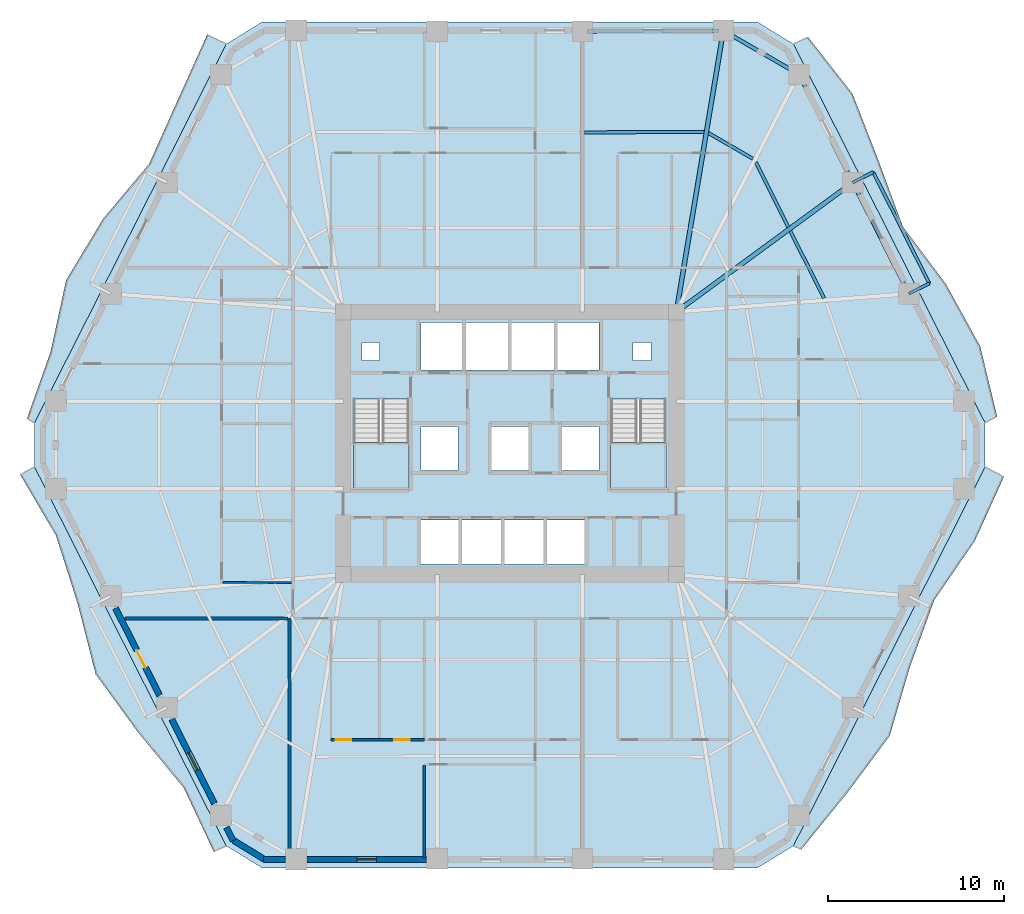
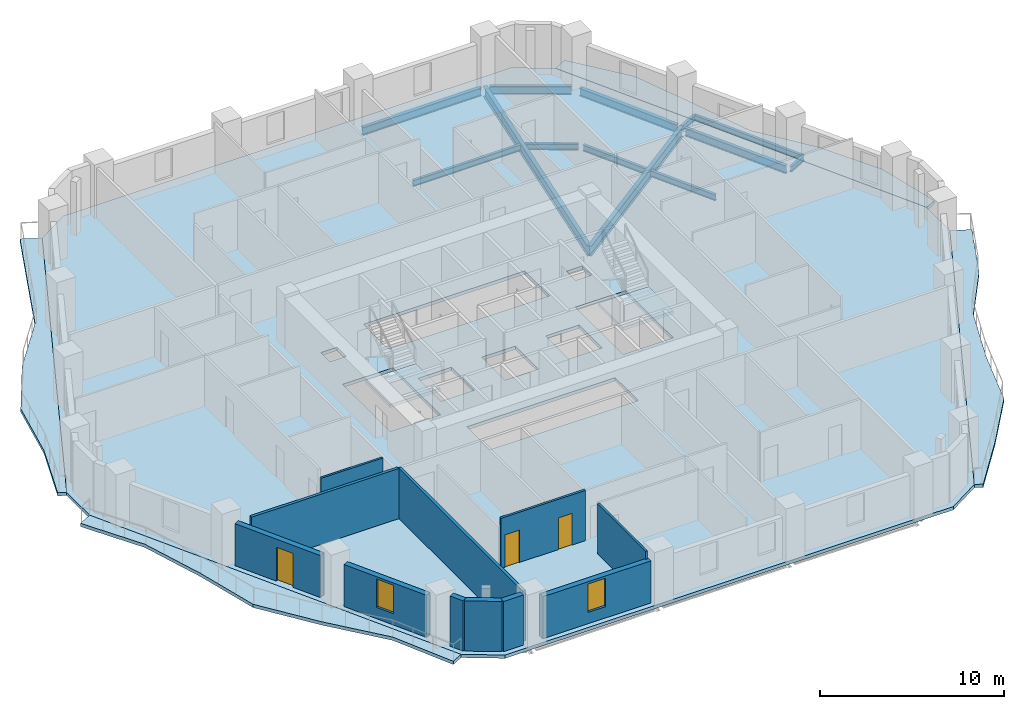
# One storey, part 3 of 11: 13 beams, 11 walls, 7 slabs, 3 doors, 2 windows, 5 openings, 2 elements without a shape of their own.
"""IFC4 building model written with IfcOpenShell, lengths in metres."""

from ifc_helpers import new_model, si_unit, direction, frame, frame_2d, origin, origin_2d, place, context, subcontext, project, spatial, polyline, rectangle, i_section, outline, extrude, material, layer, layer_set, material_profile, profile_set, type_object, element, fill, aggregate, save


model = new_model("IFC4")

# Units and contexts
model_context = context("Model", 3, precision=1e-05, world=origin(), true_north=direction((0.0, 1.0)))
body_context = subcontext(model_context, "Body", "Model", "MODEL_VIEW")
ifc_project = project(units=[si_unit("LENGTHUNIT", "METRE"), si_unit("AREAUNIT", "SQUARE_METRE"), si_unit("VOLUMEUNIT", "CUBIC_METRE"), si_unit("PLANEANGLEUNIT", "RADIAN"), si_unit("MASSUNIT", "GRAM", prefix="KILO")], contexts=[model_context])

# Site, building, storey
site_placement = place(None, origin())
site = spatial("IfcSite", under=ifc_project, at=site_placement, CompositionType="ELEMENT")
building_placement = place(site_placement, origin())
building = spatial("IfcBuilding", under=site, at=building_placement, Name="Cinnabar Lancet Tower", CompositionType="ELEMENT")
storey_placement = place(building_placement, frame((0.0, 0.0, 56.85009765625)))
storey = spatial("IfcBuildingStorey", under=building, at=storey_placement, Name="L14", CompositionType="ELEMENT", Elevation=56.85009765625)

# Beams
ifc_material_1 = material(Name="Structural steel S355", Category="steel")
ifc_material_profile_1 = material_profile(ifc_material_1, i_section(OverallWidth=0.177978515625, OverallDepth=0.406494140625, WebThickness=0.0078125, FlangeThickness=0.0126953125, FilletRadius=0.01025390625, at=origin_2d()), Name="UKB 406x178x60")
ifc_profile_set_1 = profile_set([ifc_material_profile_1], Name="Structural steel S355")
beam_type_1 = type_object("IfcBeamType", Name="STR-BM-JST-406", PredefinedType="JOIST", material=ifc_profile_set_1)
beam_1_placement = place(storey_placement, frame((50.23388671875, 34.132080078125, -0.423095703125), z_axis=(-0.450856172856, 0.8925966118, 0.0), x_axis=(-0.8925966118, -0.450856172856, 0.0)))
element("IfcBeam", 1, at=beam_1_placement, inside=storey, type_object=beam_type_1, Name="L14 Secondary Floor Joist 27", PredefinedType="JOIST", context=body_context, shape_type="SweptSolid", body=[
    extrude(i_section(OverallWidth=0.177978515625, OverallDepth=0.406494140625, WebThickness=0.0078125, FlangeThickness=0.0126953125, FilletRadius=0.01025390625, at=origin_2d()), origin(), (0.0, 0.0, 1.0), 4.25830078125),
])
beam_2_placement = place(storey_placement, frame((48.197998046875, 38.1630859375, -0.423095703125), z_axis=(-0.445641523434, 0.895211501597, 0.0), x_axis=(-0.895211501597, -0.445641523434, 0.0)))
element("IfcBeam", 2, at=beam_2_placement, inside=storey, type_object=beam_type_1, Name="L14 Secondary Floor Joist 29", PredefinedType="JOIST", context=body_context, shape_type="SweptSolid", body=[
    extrude(i_section(OverallWidth=0.177978515625, OverallDepth=0.406494140625, WebThickness=0.0078125, FlangeThickness=0.0126953125, FilletRadius=0.01025390625, at=origin_2d()), origin(), (0.0, 0.0, 1.0), 4.1015625),
])
beam_3_placement = place(storey_placement, frame((46.18994140625, 42.0390625, -0.423095703125), z_axis=(-0.865209684948, 0.501410212373, 0.0), x_axis=(-0.501410212373, -0.865209684948, 0.0)))
element("IfcBeam", 3, at=beam_3_placement, inside=storey, type_object=beam_type_1, Name="L14 Secondary Floor Joist 31", PredefinedType="JOIST", context=body_context, shape_type="SweptSolid", body=[
    extrude(i_section(OverallWidth=0.177978515625, OverallDepth=0.406494140625, WebThickness=0.0078125, FlangeThickness=0.0126953125, FilletRadius=0.01025390625, at=origin_2d()), origin(), (0.0, 0.0, 1.0), 2.90771484375),
])
beam_4_placement = place(storey_placement, frame((43.427978515625, 43.56396484375, -0.423095703125), z_axis=(-0.999988871223, -0.004717778015, 0.0), x_axis=(0.004717778015, -0.999988871223, 0.0)))
element("IfcBeam", 4, at=beam_4_placement, inside=storey, type_object=beam_type_1, Name="L14 Secondary Floor Joist 33", PredefinedType="JOIST", context=body_context, shape_type="SweptSolid", body=[
    extrude(i_section(OverallWidth=0.177978515625, OverallDepth=0.406494140625, WebThickness=0.0078125, FlangeThickness=0.0126953125, FilletRadius=0.01025390625, at=origin_2d()), origin(), (0.0, 0.0, 1.0), 6.779052734375),
])
ifc_material_2 = material(Name="Structural steel S355", Category="steel")
ifc_material_profile_2 = material_profile(ifc_material_2, i_section(OverallWidth=0.209228515625, OverallDepth=0.533203125, WebThickness=0.010009765625, FlangeThickness=0.015625, FilletRadius=0.0126953125, at=origin_2d()), Name="UKB 533x210x92")
ifc_profile_set_2 = profile_set([ifc_material_profile_2], Name="Structural steel S355")
beam_type_2 = type_object("IfcBeamType", Name="STR-BM-SPN-533", PredefinedType="SPANDREL", material=ifc_profile_set_2)
beam_5_placement = place(storey_placement, frame((54.93310546875, 34.60302734375, -0.487060546875), z_axis=(-0.450703143926, 0.892673891214, 0.0), x_axis=(-0.892673891214, -0.450703143926, 0.0)))
element("IfcBeam", 5, at=beam_5_placement, inside=storey, type_object=beam_type_2, Name="L14 Perimeter Spandrel 10", PredefinedType="SPANDREL", context=body_context, shape_type="SweptSolid", body=[
    extrude(i_section(OverallWidth=0.209228515625, OverallDepth=0.533203125, WebThickness=0.010009765625, FlangeThickness=0.015625, FilletRadius=0.0126953125, at=origin_2d()), origin(), (0.0, 0.0, 1.0), 6.570068359375),
])
beam_6_placement = place(storey_placement, frame((51.748046875, 40.9150390625, -0.487060546875), z_axis=(-0.445953050023, 0.89505635419, 0.0), x_axis=(-0.89505635419, -0.445953050023, 0.0)))
element("IfcBeam", 6, at=beam_6_placement, inside=storey, type_object=beam_type_2, Name="L14 Perimeter Spandrel 11", PredefinedType="SPANDREL", context=body_context, shape_type="SweptSolid", body=[
    extrude(i_section(OverallWidth=0.209228515625, OverallDepth=0.533203125, WebThickness=0.010009765625, FlangeThickness=0.015625, FilletRadius=0.0126953125, at=origin_2d()), origin(), (0.0, 0.0, 1.0), 6.35498046875),
])
beam_7_placement = place(storey_placement, frame((48.5869140625, 46.951904296875, -0.487060546875), z_axis=(-0.865147238596, 0.501517951374, 0.0), x_axis=(-0.501517951374, -0.865147238596, 0.0)))
element("IfcBeam", 7, at=beam_7_placement, inside=storey, type_object=beam_type_2, Name="L14 Perimeter Spandrel 12", PredefinedType="SPANDREL", context=body_context, shape_type="SweptSolid", body=[
    extrude(i_section(OverallWidth=0.209228515625, OverallDepth=0.533203125, WebThickness=0.010009765625, FlangeThickness=0.015625, FilletRadius=0.0126953125, at=origin_2d()), origin(), (0.0, 0.0, 1.0), 4.454833984375),
])
beam_8_placement = place(storey_placement, frame((44.26708984375, 49.30908203125, -0.487060546875), z_axis=(-0.99997856757, -0.006547090947, 0.0), x_axis=(0.006547090947, -0.99997856757, 0.0)))
element("IfcBeam", 8, at=beam_8_placement, inside=storey, type_object=beam_type_2, Name="L14 Perimeter Spandrel 13", PredefinedType="SPANDREL", context=body_context, shape_type="SweptSolid", body=[
    extrude(i_section(OverallWidth=0.209228515625, OverallDepth=0.533203125, WebThickness=0.010009765625, FlangeThickness=0.015625, FilletRadius=0.0126953125, at=origin_2d()), origin(), (0.0, 0.0, 1.0), 7.495361328125),
])
ifc_material_3 = material(Name="Structural steel S355", Category="steel")
ifc_material_profile_3 = material_profile(ifc_material_3, i_section(OverallWidth=0.253662109375, OverallDepth=0.68359375, WebThickness=0.012451171875, FlangeThickness=0.01904296875, FilletRadius=0.01513671875, at=origin_2d()), Name="UKB 686x254x140")
ifc_profile_set_3 = profile_set([ifc_material_profile_3], Name="Structural steel S355")
beam_type_3 = type_object("IfcBeamType", Name="STR-BM-UKB686-140", PredefinedType="BEAM", material=ifc_profile_set_3)
beam_9_placement = place(storey_placement, frame((51.85888671875, 40.69091796875, -0.56201171875), z_axis=(-0.80636497312, -0.591418236213, 0.0), x_axis=(0.591418236213, -0.80636497312, 0.0)))
element("IfcBeam", 9, at=beam_9_placement, inside=storey, type_object=beam_type_3, Name="L14 Corner Collector Girder 3", PredefinedType="BEAM", context=body_context, shape_type="SweptSolid", body=[
    extrude(i_section(OverallWidth=0.253662109375, OverallDepth=0.68359375, WebThickness=0.012451171875, FlangeThickness=0.01904296875, FilletRadius=0.01513671875, at=origin_2d()), origin(), (0.0, 0.0, 1.0), 12.412353515625),
])
beam_10_placement = place(storey_placement, frame((44.51708984375, 49.31103515625, -0.56201171875), z_axis=(-0.164809990854, -0.986325335229, 0.0), x_axis=(0.986325335229, -0.164809990854, 0.0)))
element("IfcBeam", 10, at=beam_10_placement, inside=storey, type_object=beam_type_3, Name="L14 Primary Floor Girder 13", PredefinedType="BEAM", context=body_context, shape_type="SweptSolid", body=[
    extrude(i_section(OverallWidth=0.253662109375, OverallDepth=0.68359375, WebThickness=0.012451171875, FlangeThickness=0.01904296875, FilletRadius=0.01513671875, at=origin_2d()), origin(), (0.0, 0.0, 1.0), 16.18212890625),
])
ifc_material_4 = material(Name="Structural steel S355", Category="steel")
ifc_material_profile_4 = material_profile(ifc_material_4, i_section(OverallWidth=0.17138671875, OverallDepth=0.35498046875, WebThickness=0.00732421875, FlangeThickness=0.011474609375, FilletRadius=0.01025390625, at=origin_2d()), Name="UKB 356x171x51")
ifc_profile_set_4 = profile_set([ifc_material_profile_4], Name="Structural steel S355")
beam_type_4 = type_object("IfcBeamType", Name="STR-BM-WAV-OUT", PredefinedType="BEAM", material=ifc_profile_set_4)
for number, where, z_axis, x_axis, name in (
    (11, (55.0458984375, 34.3798828125, -0.397216796875), (0.892238560088, 0.451564338597, 0.0), (-0.451564338597, 0.892238560088, 0.0), "L14 Face 3 Balcony Outlooker A"),
    (12, (51.85888671875, 40.69091796875, -0.397216796875), (0.892238560088, 0.451564338597, 0.0), (-0.451564338597, 0.892238560088, 0.0), "L14 Face 3 Balcony Outlooker B"),
):
    element("IfcBeam", number, at=place(storey_placement, frame(where, z_axis=z_axis, x_axis=x_axis)), inside=storey, type_object=beam_type_4, Name=name, PredefinedType="BEAM", context=body_context, shape_type="SweptSolid", body=[
        extrude(i_section(OverallWidth=0.17138671875, OverallDepth=0.35498046875, WebThickness=0.00732421875, FlangeThickness=0.011474609375, FilletRadius=0.01025390625, at=origin_2d()), origin(), (0.0, 0.0, 1.0), 1.30029296875),
    ])
ifc_material_5 = material(Name="Structural steel S355", Category="steel")
ifc_material_profile_5 = material_profile(ifc_material_5, i_section(OverallWidth=0.17138671875, OverallDepth=0.35498046875, WebThickness=0.00732421875, FlangeThickness=0.011474609375, FilletRadius=0.01025390625, at=origin_2d()), Name="UKB 356x171x51")
ifc_profile_set_5 = profile_set([ifc_material_profile_5], Name="Structural steel S355")
beam_type_5 = type_object("IfcBeamType", Name="STR-BM-WAV-TRIM", PredefinedType="SPANDREL", material=ifc_profile_set_5)
beam_11_placement = place(storey_placement, frame((56.2060546875, 34.967041015625, -0.397216796875), z_axis=(-0.450773692627, 0.892638268301, 0.0), x_axis=(-0.892638268301, -0.450773692627, 0.0)))
element("IfcBeam", 13, at=beam_11_placement, inside=storey, type_object=beam_type_5, Name="L14 Face 3 Balcony Edge Trimmer", PredefinedType="SPANDREL", context=body_context, shape_type="SweptSolid", body=[
    extrude(i_section(OverallWidth=0.17138671875, OverallDepth=0.35498046875, WebThickness=0.00732421875, FlangeThickness=0.011474609375, FilletRadius=0.01025390625, at=origin_2d()), origin(), (0.0, 0.0, 1.0), 7.070068359375),
])

# Stair, slab
ifc_material_6 = material(Name="Concrete C40/50", Category="concrete")
stair_type = type_object("IfcStairType", Name="ST-CORE", PredefinedType="HALF_TURN_STAIR", material=ifc_material_6)
stair_1_placement = place(storey_placement, origin())
stair_1 = element("IfcStair", 14, at=stair_1_placement, inside=storey, type_object=stair_type, Name="L14 ST-1", PredefinedType="HALF_TURN_STAIR")
ifc_material_7 = material(Name="Concrete C40/50", Category="concrete")
ifc_layer_1 = layer(ifc_material_7, 0.199951171875)
ifc_layer_set_1 = layer_set([ifc_layer_1], Name="Concrete C40/50")
slab_type_1 = type_object("IfcSlabType", Name="LANDING-CORE", PredefinedType="LANDING", material=ifc_layer_set_1)
slab_1_placement = place(storey_placement, frame((0.0, 0.0, 1.574951171875)))
slab_1 = element("IfcSlab", 15, at=slab_1_placement, type_object=slab_type_1, Name="ST-1 landing 1", PredefinedType="LANDING", context=body_context, shape_type="SweptSolid", body=[
    extrude(outline(polyline([(23.52490234375, 25.925048828125), (23.52490234375, 23.25), (26.675048828125, 23.25), (26.675048828125, 25.925048828125), (23.52490234375, 25.925048828125)])), origin(), (0.0, 0.0, 1.0), 0.199951171875),
])
aggregate(stair_1, [slab_1])

stair_2_placement = place(storey_placement, origin())
stair_2 = element("IfcStair", 16, at=stair_2_placement, inside=storey, type_object=stair_type, Name="L14 ST-2", PredefinedType="HALF_TURN_STAIR")
slab_2_placement = place(storey_placement, frame((0.0, 0.0, 1.574951171875)))
slab_2 = element("IfcSlab", 17, at=slab_2_placement, type_object=slab_type_1, Name="ST-2 landing 1", PredefinedType="LANDING", context=body_context, shape_type="SweptSolid", body=[
    extrude(outline(polyline([(38.125, 25.925048828125), (38.125, 23.25), (41.27490234375, 23.25), (41.27490234375, 25.925048828125), (38.125, 25.925048828125)])), origin(), (0.0, 0.0, 1.0), 0.199951171875),
])
aggregate(stair_2, [slab_2])

# Slabs
ifc_material_8 = material(Name="Concrete C40/50", Category="concrete")
ifc_layer_2 = layer(ifc_material_8, 0.219970703125)
ifc_layer_set_2 = layer_set([ifc_layer_2], Name="Concrete C40/50")
slab_type_2 = type_object("IfcSlabType", Name="STR-SLB-FLR-220", PredefinedType="FLOOR", material=ifc_layer_set_2)
slab_3_placement = place(storey_placement, frame((0.0, 0.0, -0.22021484375)))
element("IfcSlab", 18, at=slab_3_placement, inside=storey, type_object=slab_type_2, Name="L14 Structural Floor Slab", PredefinedType="FLOOR", context=body_context, shape_type="SweptSolid", body=[
    extrude(outline(polyline([(16.31201171875, 3.049072265625), (18.343994140625, 1.800048828125), (46.4560546875, 1.800048828125), (48.488037109375, 3.049072265625), (59.367919921875, 24.551025390625), (59.367919921875, 27.049072265625), (48.488037109375, 48.551025390625), (46.4560546875, 49.800048828125), (18.343994140625, 49.800048828125), (16.31201171875, 48.551025390625), (5.431884765625, 27.049072265625), (5.431884765625, 24.551025390625), (16.31201171875, 3.049072265625)]), holes=[polyline([(23.52490234375, 23.25), (26.675048828125, 23.25), (26.675048828125, 28.3994140625), (23.52490234375, 28.3994140625), (23.52490234375, 23.25)]), polyline([(38.125, 23.25), (41.27490234375, 23.25), (41.27490234375, 28.3994140625), (38.125, 28.3994140625), (38.125, 23.25)]), polyline([(27.35009765625, 30.050048828125), (37.449951171875, 30.050048828125), (37.449951171875, 32.75), (27.35009765625, 32.75), (27.35009765625, 30.050048828125)]), polyline([(27.35009765625, 19.050048828125), (36.64990234375, 19.050048828125), (36.64990234375, 21.550048828125), (27.35009765625, 21.550048828125), (27.35009765625, 19.050048828125)]), polyline([(27.35009765625, 24.35009765625), (29.449951171875, 24.35009765625), (29.449951171875, 26.85009765625), (27.35009765625, 26.85009765625), (27.35009765625, 24.35009765625)]), polyline([(35.35009765625, 24.35009765625), (37.449951171875, 24.35009765625), (37.449951171875, 26.85009765625), (35.35009765625, 26.85009765625), (35.35009765625, 24.35009765625)]), polyline([(31.35009765625, 24.35009765625), (33.449951171875, 24.35009765625), (33.449951171875, 26.85009765625), (31.35009765625, 26.85009765625), (31.35009765625, 24.35009765625)]), polyline([(24.0, 30.60009765625), (25.0, 30.60009765625), (25.0, 31.60009765625), (24.0, 31.60009765625), (24.0, 30.60009765625)]), polyline([(39.39990234375, 30.60009765625), (40.39990234375, 30.60009765625), (40.39990234375, 31.60009765625), (39.39990234375, 31.60009765625), (39.39990234375, 30.60009765625)])]), origin(), (0.0, 0.0, 1.0), 0.22021484375),
])
ifc_material_9 = material(Name="Concrete C45/55", Category="concrete")
ifc_layer_3 = layer(ifc_material_9, 0.219970703125)
ifc_layer_set_3 = layer_set([ifc_layer_3], Name="Concrete C45/55")
slab_type_3 = type_object("IfcSlabType", Name="STR-SLB-WAV-220", PredefinedType="FLOOR", material=ifc_layer_set_3)
slab_4_placement = place(storey_placement, frame((0.0, 0.0, -0.22021484375)))
element("IfcSlab", 19, at=slab_4_placement, inside=storey, type_object=slab_type_3, Name="L14 Face 2 Undulating Wave Balcony Slab", PredefinedType="FLOOR", context=body_context, shape_type="SweptSolid", body=[
    extrude(outline(polyline([(48.488037109375, 3.049072265625), (48.922119140625, 2.830078125), (51.514892578125, 6.01806640625), (53.951904296875, 9.287109375), (55.10009765625, 13.20703125), (56.487060546875, 17.006103515625), (58.780029296875, 20.346923828125), (60.43994140625, 24.008056640625), (59.367919921875, 24.551025390625), (48.488037109375, 3.049072265625)])), origin(), (0.0, 0.0, 1.0), 0.22021484375),
])
slab_5_placement = place(storey_placement, frame((0.0, 0.0, -0.22021484375)))
element("IfcSlab", 20, at=slab_5_placement, inside=storey, type_object=slab_type_3, Name="L14 Face 3 Undulating Wave Balcony Slab", PredefinedType="FLOOR", context=body_context, shape_type="SweptSolid", body=[
    extrude(outline(polyline([(59.367919921875, 27.049072265625), (60.052978515625, 27.39599609375), (59.0849609375, 31.406982421875), (57.14404296875, 34.926025390625), (54.697998046875, 38.18896484375), (53.299072265625, 41.98291015625), (51.833984375, 45.742919921875), (49.301025390625, 48.9619140625), (48.488037109375, 48.551025390625), (59.367919921875, 27.049072265625)])), origin(), (0.0, 0.0, 1.0), 0.22021484375),
])
slab_6_placement = place(storey_placement, frame((0.0, 0.0, -0.22021484375)))
element("IfcSlab", 21, at=slab_6_placement, inside=storey, type_object=slab_type_3, Name="L14 Face 5 Undulating Wave Balcony Slab", PredefinedType="FLOOR", context=body_context, shape_type="SweptSolid", body=[
    extrude(outline(polyline([(16.31201171875, 48.551025390625), (15.235107421875, 49.095947265625), (13.5849609375, 45.429931640625), (11.94189453125, 41.760009765625), (9.298095703125, 38.595947265625), (7.22412109375, 35.14501953125), (6.343017578125, 31.089111328125), (4.993896484375, 27.27099609375), (5.431884765625, 27.049072265625), (16.31201171875, 48.551025390625)])), origin(), (0.0, 0.0, 1.0), 0.22021484375),
])
slab_7_placement = place(storey_placement, frame((0.0, 0.0, -0.22021484375)))
element("IfcSlab", 22, at=slab_7_placement, inside=storey, type_object=slab_type_3, Name="L14 Face 6 Undulating Wave Balcony Slab", PredefinedType="FLOOR", context=body_context, shape_type="SweptSolid", body=[
    extrude(outline(polyline([(5.431884765625, 24.551025390625), (4.60693359375, 24.133056640625), (6.64794921875, 20.6650390625), (7.881103515625, 16.7880859375), (8.89599609375, 12.800048828125), (11.2900390625, 9.510009765625), (13.903076171875, 6.3310546875), (15.614013671875, 2.696044921875), (16.31201171875, 3.049072265625), (5.431884765625, 24.551025390625)])), origin(), (0.0, 0.0, 1.0), 0.22021484375),
])

# Walls
ifc_material_10 = material(Name="Fire-rated twin-frame acoustic drywall", Category="gypsum")
ifc_layer_4 = layer(ifc_material_10, 0.179931640625)
ifc_layer_set_4 = layer_set([ifc_layer_4], Name="Fire-rated twin-frame acoustic drywall")
wall_type_1 = type_object("IfcWallType", Name="ARC-WL-PARTY-180", PredefinedType="PARTITIONING", material=ifc_layer_set_4)
wall_1_placement = place(storey_placement, frame((19.89990234375, 2.455078125, 0.0), z_axis=(0.0, 0.0, 1.0), x_axis=(0.0, 1.0, 0.0)))
element("IfcWall", 23, at=wall_1_placement, inside=storey, type_object=wall_type_1, Name="PW-L14-SPTY-199", PredefinedType="PARTITIONING", context=body_context, shape_type="SweptSolid", body=[
    extrude(rectangle(XDim=13.494873046875, YDim=0.179931640625, at=frame_2d((6.74755859375, 0.0))), origin(), (0.0, 0.0, 1.0), 3.329833984375),
])
wall_2_placement = place(storey_placement, frame((10.56396484375, 15.949951171875, 0.0), z_axis=(0.0, 0.0, 1.0), x_axis=(1.0, 0.0, 0.0)))
element("IfcWall", 24, at=wall_2_placement, inside=storey, type_object=wall_type_1, Name="PW-L14-WSB", PredefinedType="PARTITIONING", context=body_context, shape_type="SweptSolid", body=[
    extrude(rectangle(XDim=9.240966796875, YDim=0.179931640625, at=frame_2d((4.62060546875, 0.0))), origin(), (0.0, 0.0, 1.0), 3.329833984375),
])
ifc_material_11 = material(Name="Gypsum plasterboard stud partition", Category="gypsum")
ifc_layer_5 = layer(ifc_material_11, 0.125)
ifc_layer_set_5 = layer_set([ifc_layer_5], Name="Gypsum plasterboard stud partition")
wall_type_2 = type_object("IfcWallType", Name="ARC-WL-UNIT-125", PredefinedType="PARTITIONING", material=ifc_layer_set_5)
wall_3_placement = place(storey_placement, frame((27.5458984375, 2.364990234375, 0.0), z_axis=(0.0, 0.0, 1.0), x_axis=(0.0, 1.0, 0.0)))
element("IfcWall", 25, at=wall_3_placement, inside=storey, type_object=wall_type_2, Name="UW-L14-S01-BD2W", PredefinedType="PARTITIONING", context=body_context, shape_type="SweptSolid", body=[
    extrude(rectangle(XDim=5.238037109375, YDim=0.125, at=frame_2d((2.619140625, 0.0))), origin(), (0.0, 0.0, 1.0), 3.329833984375),
])
wall_4_placement = place(storey_placement, frame((16.135009765625, 18.0, 0.0), z_axis=(0.0, 0.0, 1.0), x_axis=(1.0, 0.0, 0.0)))
element("IfcWall", 26, at=wall_4_placement, inside=storey, type_object=wall_type_2, Name="UW-L14-W01-FOYN", PredefinedType="PARTITIONING", context=body_context, shape_type="SweptSolid", body=[
    extrude(rectangle(XDim=3.8798828125, YDim=0.125, at=frame_2d((1.93994140625, 0.0))), origin(), (0.0, 0.0, 1.0), 2.699951171875),
])

# Wall, openings, doors
ifc_material_12 = material(Name="Moisture-resistant cement-board plumbing wall", Category="masonry")
ifc_layer_6 = layer(ifc_material_12, 0.139892578125)
ifc_layer_set_6 = layer_set([ifc_layer_6], Name="Moisture-resistant cement-board plumbing wall")
wall_type_3 = type_object("IfcWallType", Name="ARC-WL-WET-140", PredefinedType="PLUMBINGWALL", material=ifc_layer_set_6)
wall_5_placement = place(storey_placement, frame((22.25, 9.068115234375, 0.0), z_axis=(0.0, 0.0, 1.0), x_axis=(1.0, 0.0, 0.0)))
wall_5 = element("IfcWall", 27, at=wall_5_placement, inside=storey, type_object=wall_type_3, Name="UW-L14-S01-SPL", PredefinedType="PLUMBINGWALL", context=body_context, shape_type="SweptSolid", body=[
    extrude(rectangle(XDim=5.2958984375, YDim=0.139892578125, at=frame_2d((2.64794921875, 0.0))), origin(), (0.0, 0.0, 1.0), 3.329833984375),
])
opening_1_placement = place(wall_5_placement, frame((3.60009765625, 0.0, 0.0)))
opening_1 = element("IfcOpeningElement", 28, at=opening_1_placement, cuts=wall_5, Name="Opening BD-01", PredefinedType="OPENING", context=body_context, shape_type="SweptSolid", body=[
    extrude(rectangle(XDim=0.860107421875, YDim=2.10009765625, at=frame_2d((0.43017578125, 1.050048828125))), frame((0.0, 0.079833984375, 0.0), z_axis=(0.0, -1.0, 0.0), x_axis=(1.0, 0.0, 0.0)), (0.0, 0.0, 1.0), 0.159912109375),
])
opening_2_placement = place(wall_5_placement, frame((0.260009765625, 0.0, 0.0)))
opening_2 = element("IfcOpeningElement", 29, at=opening_2_placement, cuts=wall_5, Name="Opening RD-02", PredefinedType="OPENING", context=body_context, shape_type="SweptSolid", body=[
    extrude(rectangle(XDim=0.8798828125, YDim=2.14990234375, at=frame_2d((0.43994140625, 1.074951171875))), frame((0.0, 0.079833984375, 0.0), z_axis=(0.0, -1.0, 0.0), x_axis=(1.0, 0.0, 0.0)), (0.0, 0.0, 1.0), 0.159912109375),
])
ifc_material_13 = material(Name="Moisture-resistant timber bathroom door", Category="wood")
door_type_1 = type_object("IfcDoorType", Name="ARC-DR-BATH", OperationType="NOTDEFINED", PredefinedType="DOOR", material=ifc_material_13)
door_1_placement = place(opening_1_placement, origin())
door_1 = element("IfcDoor", 30, at=door_1_placement, inside=storey, type_object=door_type_1, Name="DR-L14-S01-BTH", OperationType="SINGLE_SWING_LEFT", OverallHeight=2.10009765625, OverallWidth=0.860107421875, PredefinedType="DOOR", context=body_context, shape_type="SweptSolid", body=[
    extrude(rectangle(XDim=0.860107421875, YDim=2.10009765625, at=frame_2d((0.43017578125, 1.050048828125))), frame((0.0, 0.02490234375, 0.0), z_axis=(0.0, -1.0, 0.0), x_axis=(1.0, 0.0, 0.0)), (0.0, 0.0, 1.0), 0.050048828125),
])
fill(opening_1, door_1)
ifc_material_14 = material(Name="Engineered timber study door", Category="wood")
door_type_2 = type_object("IfcDoorType", Name="ARC-DR-STUDY", OperationType="NOTDEFINED", PredefinedType="DOOR", material=ifc_material_14)
door_2_placement = place(opening_2_placement, origin())
door_2 = element("IfcDoor", 31, at=door_2_placement, inside=storey, type_object=door_type_2, Name="DR-L14-S01-KIT", OperationType="SINGLE_SWING_RIGHT", OverallHeight=2.14990234375, OverallWidth=0.8798828125, PredefinedType="DOOR", context=body_context, shape_type="SweptSolid", body=[
    extrude(rectangle(XDim=0.8798828125, YDim=2.14990234375, at=frame_2d((0.43994140625, 1.074951171875))), frame((0.0, 0.02490234375, 0.0), z_axis=(0.0, -1.0, 0.0), x_axis=(1.0, 0.0, 0.0)), (0.0, 0.0, 1.0), 0.050048828125),
])
fill(opening_2, door_2)

# Walls
ifc_material_15 = material(Name="Cinnabar red clay brick", Category="masonry")
ifc_layer_7 = layer(ifc_material_15, 0.340087890625)
ifc_layer_set_7 = layer_set([ifc_layer_7], Name="Cinnabar red clay brick")
wall_type_4 = type_object("IfcWallType", Name="ENV-WL-BRK-RED-340", PredefinedType="STANDARD", material=ifc_layer_set_7)
wall_6_placement = place(storey_placement, frame((16.719970703125, 3.362060546875, 0.0), z_axis=(0.0, 0.0, 1.0), x_axis=(0.851816122478, -0.523840904748, 0.0)))
element("IfcWall", 32, at=wall_6_placement, inside=storey, type_object=wall_type_4, Name="L14 Chamfered Corner Brick Pier 1.1", PredefinedType="STANDARD", context=body_context, shape_type="SweptSolid", body=[
    extrude(rectangle(XDim=2.01806640625, YDim=0.340087890625, at=frame_2d((1.009033203125, 0.0))), origin(), (0.0, 0.0, 1.0), 3.329833984375),
])
wall_7_placement = place(storey_placement, frame((18.43408203125, 2.280029296875, 0.0), z_axis=(0.0, 0.0, 1.0), x_axis=(1.0, 0.0, 0.0)))
element("IfcWall", 33, at=wall_7_placement, inside=storey, type_object=wall_type_4, Name="L14 Face 1 Masonry Bay Wall 1", PredefinedType="STANDARD", context=body_context, shape_type="SweptSolid", body=[
    extrude(rectangle(XDim=1.244873046875, YDim=0.340087890625, at=frame_2d((0.62255859375, 0.0))), origin(), (0.0, 0.0, 1.0), 3.329833984375),
])

# Wall, opening, window
wall_8_placement = place(storey_placement, frame((20.886962890625, 2.280029296875, 0.0), z_axis=(0.0, 0.0, 1.0), x_axis=(1.0, 0.0, 0.0)))
wall_8 = element("IfcWall", 34, at=wall_8_placement, inside=storey, type_object=wall_type_4, Name="L14 Face 1 Masonry Bay Wall 2", PredefinedType="STANDARD", context=body_context, shape_type="SweptSolid", body=[
    extrude(rectangle(XDim=6.787109375, YDim=0.340087890625, at=frame_2d((3.3935546875, 0.0))), origin(), (0.0, 0.0, 1.0), 2.786865234375),
])
opening_3_placement = place(wall_8_placement, frame((2.843017578125, 0.0, 0.75)))
opening_3 = element("IfcOpeningElement", 35, at=opening_3_placement, cuts=wall_8, Name="Opening WN-04", PredefinedType="OPENING", context=body_context, shape_type="SweptSolid", body=[
    extrude(rectangle(XDim=1.10009765625, YDim=1.886962890625, at=frame_2d((0.550048828125, 0.943359375))), frame((0.0, 0.179931640625, 0.0), z_axis=(0.0, -1.0, 0.0), x_axis=(1.0, 0.0, 0.0)), (0.0, 0.0, 1.0), 0.360107421875),
])
ifc_material_16 = material(Name="Thermally broken bronze-anodized aluminium tall lancet window", Category="aluminium")
window_type = type_object("IfcWindowType", Name="ENV-WN-LANCET-1100", PartitioningType="SINGLE_PANEL", PredefinedType="WINDOW", material=ifc_material_16)
window_1_placement = place(opening_3_placement, origin())
window_1 = element("IfcWindow", 36, at=window_1_placement, inside=storey, type_object=window_type, Name="L14 Face 1 Gothic Lancet Window 2", OverallHeight=1.886962890625, OverallWidth=1.10009765625, PartitioningType="SINGLE_PANEL", PredefinedType="WINDOW", context=body_context, shape_type="SweptSolid", body=[
    extrude(rectangle(XDim=1.10009765625, YDim=1.886962890625, at=frame_2d((0.550048828125, 0.943359375))), frame((0.0, 0.030029296875, 0.0), z_axis=(0.0, -1.0, 0.0), x_axis=(1.0, 0.0, 0.0)), (0.0, 0.0, 1.0), 0.06005859375),
])
fill(opening_3, window_1)

# Wall, opening, door
wall_9_placement = place(storey_placement, frame((10.02392578125, 16.5390625, 0.0), z_axis=(0.0, 0.0, 1.0), x_axis=(0.451627137896, -0.892206774417, 0.0)))
wall_9 = element("IfcWall", 37, at=wall_9_placement, inside=storey, type_object=wall_type_4, Name="L14 Face 6 Masonry Bay Wall 3", PredefinedType="STANDARD", context=body_context, shape_type="SweptSolid", body=[
    extrude(rectangle(XDim=5.546875, YDim=0.340087890625, at=frame_2d((2.7734375, 0.0))), origin(), (0.0, 0.0, 1.0), 2.786865234375),
])
opening_4_placement = place(wall_9_placement, frame((2.678955078125, 0.0, 0.0)))
opening_4 = element("IfcOpeningElement", 38, at=opening_4_placement, cuts=wall_9, Name="Opening TD-01", PredefinedType="OPENING", context=body_context, shape_type="SweptSolid", body=[
    extrude(rectangle(XDim=1.10009765625, YDim=2.25, at=frame_2d((0.550048828125, 1.125))), frame((0.0, 0.179931640625, 0.0), z_axis=(0.0, -1.0, 0.0), x_axis=(1.0, 0.0, 0.0)), (0.0, 0.0, 1.0), 0.360107421875),
])
ifc_material_17 = material(Name="Thermally broken low-E glazed balcony terrace door", Category="wood")
door_type_3 = type_object("IfcDoorType", Name="ARC-DR-BALC", OperationType="NOTDEFINED", PredefinedType="DOOR", material=ifc_material_17)
door_3_placement = place(opening_4_placement, origin())
door_3 = element("IfcDoor", 39, at=door_3_placement, inside=storey, type_object=door_type_3, Name="L14 Face 6 Glazed Terrace Door", OperationType="SINGLE_SWING_LEFT", OverallHeight=2.25, OverallWidth=1.10009765625, PredefinedType="DOOR", context=body_context, shape_type="SweptSolid", body=[
    extrude(rectangle(XDim=1.10009765625, YDim=2.25, at=frame_2d((0.550048828125, 1.125))), frame((0.0, 0.02490234375, 0.0), z_axis=(0.0, -1.0, 0.0), x_axis=(1.0, 0.0, 0.0)), (0.0, 0.0, 1.0), 0.050048828125),
])
fill(opening_4, door_3)

# Wall, opening, window
wall_10_placement = place(storey_placement, frame((13.217041015625, 10.22802734375, 0.0), z_axis=(0.0, 0.0, 1.0), x_axis=(0.451697561555, -0.892171123095, 0.0)))
wall_10 = element("IfcWall", 40, at=wall_10_placement, inside=storey, type_object=wall_type_4, Name="L14 Face 6 Masonry Bay Wall 4", PredefinedType="STANDARD", context=body_context, shape_type="SweptSolid", body=[
    extrude(rectangle(XDim=5.350830078125, YDim=0.340087890625, at=frame_2d((2.67529296875, 0.0))), origin(), (0.0, 0.0, 1.0), 2.786865234375),
])
opening_5_placement = place(wall_10_placement, frame((2.125, 0.0, 0.75)))
opening_5 = element("IfcOpeningElement", 41, at=opening_5_placement, cuts=wall_10, Name="Opening WN-04", PredefinedType="OPENING", context=body_context, shape_type="SweptSolid", body=[
    extrude(rectangle(XDim=1.10009765625, YDim=1.886962890625, at=frame_2d((0.550048828125, 0.943359375))), frame((0.0, 0.179931640625, 0.0), z_axis=(0.0, -1.0, 0.0), x_axis=(1.0, 0.0, 0.0)), (0.0, 0.0, 1.0), 0.360107421875),
])
window_2_placement = place(opening_5_placement, origin())
window_2 = element("IfcWindow", 42, at=window_2_placement, inside=storey, type_object=window_type, Name="L14 Face 6 Gothic Lancet Window 4", OverallHeight=1.886962890625, OverallWidth=1.10009765625, PartitioningType="SINGLE_PANEL", PredefinedType="WINDOW", context=body_context, shape_type="SweptSolid", body=[
    extrude(rectangle(XDim=1.10009765625, YDim=1.886962890625, at=frame_2d((0.550048828125, 0.943359375))), frame((0.0, 0.030029296875, 0.0), z_axis=(0.0, -1.0, 0.0), x_axis=(1.0, 0.0, 0.0)), (0.0, 0.0, 1.0), 0.06005859375),
])
fill(opening_5, window_2)

# Wall
wall_11_placement = place(storey_placement, frame((16.322021484375, 4.092041015625, 0.0), z_axis=(0.0, 0.0, 1.0), x_axis=(0.45187807258, -0.892079709175, 0.0)))
element("IfcWall", 43, at=wall_11_placement, inside=storey, type_object=wall_type_4, Name="L14 Face 6 Masonry Bay Wall 5", PredefinedType="STANDARD", context=body_context, shape_type="SweptSolid", body=[
    extrude(rectangle(XDim=0.83642578125, YDim=0.340087890625, at=frame_2d((0.418212890625, 0.0))), origin(), (0.0, 0.0, 1.0), 3.329833984375),
])

save(model, "model.ifc")
